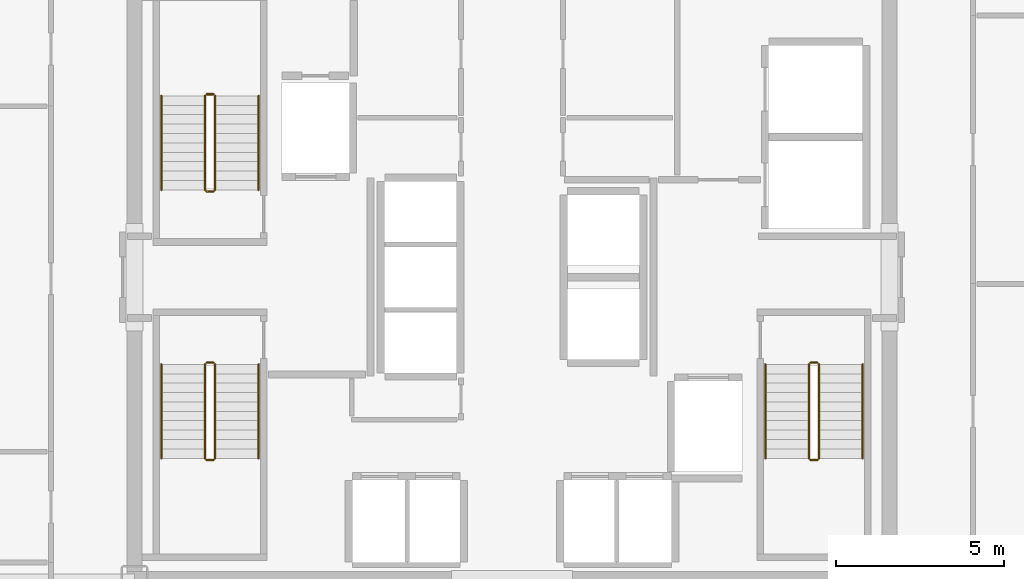
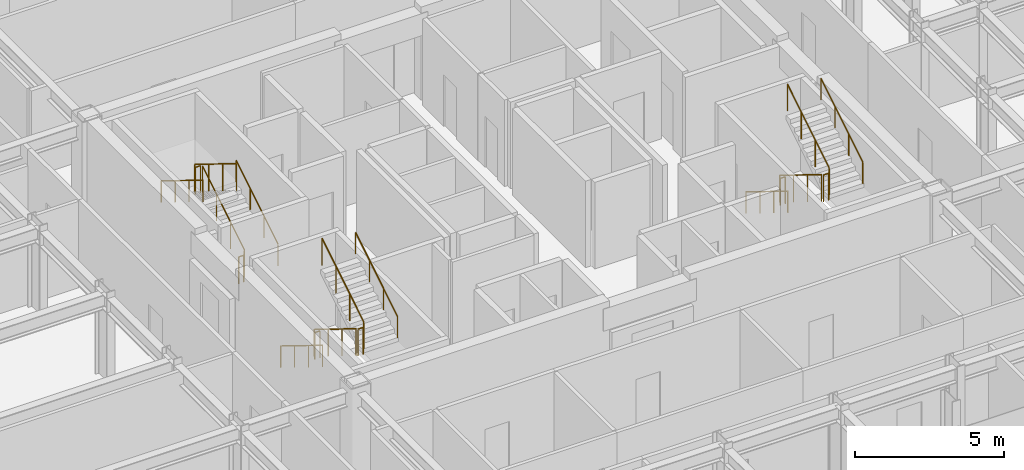
# One storey, part 20 of 20: 18 railings.
"""IFC4 building model written with IfcOpenShell, lengths in metres."""

from ifc_helpers import new_model, si_unit, direction, frame, origin, origin_2d, place, context, subcontext, project, spatial, circle, extrude, material, type_object, element, save


model = new_model("IFC4")

# Units and contexts
model_context = context("Model", 3, precision=1e-05, world=origin(), true_north=direction((0.0, 1.0)))
body_context = subcontext(model_context, "Body", "Model", "MODEL_VIEW")
ifc_project = project(units=[si_unit("LENGTHUNIT", "METRE"), si_unit("AREAUNIT", "SQUARE_METRE"), si_unit("VOLUMEUNIT", "CUBIC_METRE"), si_unit("PLANEANGLEUNIT", "RADIAN"), si_unit("MASSUNIT", "GRAM", prefix="KILO")], contexts=[model_context])

# Site, building, storey
site_placement = place(None, origin())
site = spatial("IfcSite", under=ifc_project, at=site_placement, CompositionType="ELEMENT")
building_placement = place(site_placement, origin())
building = spatial("IfcBuilding", under=site, at=building_placement, Name="Nefas-Gora Pilgrimage Tower", CompositionType="ELEMENT")
storey_placement = place(building_placement, frame((0.0, 0.0, 237.0)))
storey = spatial("IfcBuildingStorey", under=building, at=storey_placement, Name="L59", CompositionType="ELEMENT", Elevation=237.0)

# Railings
ifc_material_1 = material(Name="Painted galvanised steel", Category="steel")
railing_type_1 = type_object("IfcRailingType", Name="RLG-STR-GUARD-1100", PredefinedType="GUARDRAIL", material=ifc_material_1)
railing_1_placement = place(storey_placement, frame((-8.85009765625, 2.60009765625, 0.172607421875)))
element("IfcRailing", 1, at=railing_1_placement, inside=storey, type_object=railing_type_1, Name="L59 ST-01 stair guard 1", PredefinedType="GUARDRAIL", context=body_context, shape_type="SweptSolid", body=[
    extrude(circle(Radius=0.02392578125, at=origin_2d()), frame((0.0, 0.0, 1.09619140625), z_axis=(0.0, 0.851069175582, 0.525053576669), x_axis=(-1.0, 0.0, 0.0)), (0.0, 0.0, 1.0), 3.289794921875),
    extrude(circle(Radius=0.02099609375, at=origin_2d()), origin(), (0.0, 0.0, 1.0), 1.072021484375),
    extrude(circle(Radius=0.02099609375, at=origin_2d()), frame((0.0, 0.933349609375, 0.57568359375)), (0.0, 0.0, 1.0), 1.072021484375),
    extrude(circle(Radius=0.02099609375, at=origin_2d()), frame((0.0, 1.866455078125, 1.151611328125)), (0.0, 0.0, 1.0), 1.072021484375),
    extrude(circle(Radius=0.02099609375, at=origin_2d()), frame((0.0, 2.7998046875, 1.727294921875)), (0.0, 0.0, 1.0), 1.072021484375),
])
railing_2_placement = place(storey_placement, frame((-8.89990234375, 5.449951171875, 1.89990234375)))
element("IfcRailing", 2, at=railing_2_placement, inside=storey, type_object=railing_type_1, Name="L59 ST-01 stair guard 2", PredefinedType="GUARDRAIL", context=body_context, shape_type="SweptSolid", body=[
    extrude(circle(Radius=0.02392578125, at=origin_2d()), frame((0.0, 0.0, 1.09619140625), z_axis=(-1.0, 0.0, 0.0), x_axis=(0.0, -1.0, 0.0)), (0.0, 0.0, 1.0), 0.2001953125),
    extrude(circle(Radius=0.02099609375, at=origin_2d()), origin(), (0.0, 0.0, 1.0), 1.072021484375),
    extrude(circle(Radius=0.02099609375, at=origin_2d()), frame((-0.2001953125, 0.0, 0.0)), (0.0, 0.0, 1.0), 1.072021484375),
])
railing_3_placement = place(storey_placement, frame((-9.14990234375, 5.39990234375, 2.07275390625)))
element("IfcRailing", 3, at=railing_3_placement, inside=storey, type_object=railing_type_1, Name="L59 ST-01 stair guard 3", PredefinedType="GUARDRAIL", context=body_context, shape_type="SweptSolid", body=[
    extrude(circle(Radius=0.02392578125, at=origin_2d()), frame((0.0, 0.0, 1.09619140625), z_axis=(0.0, -0.851069175582, 0.525053576669), x_axis=(1.0, 0.0, 0.0)), (0.0, 0.0, 1.0), 3.289794921875),
    extrude(circle(Radius=0.02099609375, at=origin_2d()), origin(), (0.0, 0.0, 1.0), 1.072021484375),
    extrude(circle(Radius=0.02099609375, at=origin_2d()), frame((0.0, -0.933349609375, 0.57568359375)), (0.0, 0.0, 1.0), 1.072021484375),
    extrude(circle(Radius=0.02099609375, at=origin_2d()), frame((0.0, -1.866455078125, 1.151611328125)), (0.0, 0.0, 1.0), 1.072021484375),
    extrude(circle(Radius=0.02099609375, at=origin_2d()), frame((0.0, -2.7998046875, 1.727294921875)), (0.0, 0.0, 1.0), 1.072021484375),
])
railing_4_placement = place(storey_placement, frame((-8.89990234375, 2.550048828125, 0.0)))
element("IfcRailing", 4, at=railing_4_placement, inside=storey, type_object=railing_type_1, Name="L59 ST-01 stair guard 4", PredefinedType="GUARDRAIL", context=body_context, shape_type="SweptSolid", body=[
    extrude(circle(Radius=0.02392578125, at=origin_2d()), frame((0.0, 0.0, 1.09619140625), z_axis=(-1.0, 0.0, 0.0), x_axis=(0.0, -1.0, 0.0)), (0.0, 0.0, 1.0), 0.2001953125),
    extrude(circle(Radius=0.02099609375, at=origin_2d()), origin(), (0.0, 0.0, 1.0), 1.072021484375),
    extrude(circle(Radius=0.02099609375, at=origin_2d()), frame((-0.2001953125, 0.0, 0.0)), (0.0, 0.0, 1.0), 1.072021484375),
])
railing_5_placement = place(storey_placement, frame((8.85009765625, -2.60009765625, 0.172607421875)))
element("IfcRailing", 5, at=railing_5_placement, inside=storey, type_object=railing_type_1, Name="L59 ST-02 stair guard 1", PredefinedType="GUARDRAIL", context=body_context, shape_type="SweptSolid", body=[
    extrude(circle(Radius=0.02392578125, at=origin_2d()), frame((0.0, 0.0, 1.09619140625), z_axis=(0.0, -0.851069175582, 0.525053576669), x_axis=(1.0, 0.0, 0.0)), (0.0, 0.0, 1.0), 3.289794921875),
    extrude(circle(Radius=0.02099609375, at=origin_2d()), origin(), (0.0, 0.0, 1.0), 1.072021484375),
    extrude(circle(Radius=0.02099609375, at=origin_2d()), frame((0.0, -0.933349609375, 0.57568359375)), (0.0, 0.0, 1.0), 1.072021484375),
    extrude(circle(Radius=0.02099609375, at=origin_2d()), frame((0.0, -1.866455078125, 1.151611328125)), (0.0, 0.0, 1.0), 1.072021484375),
    extrude(circle(Radius=0.02099609375, at=origin_2d()), frame((0.0, -2.7998046875, 1.727294921875)), (0.0, 0.0, 1.0), 1.072021484375),
])
railing_6_placement = place(storey_placement, frame((8.89990234375, -5.449951171875, 1.89990234375)))
element("IfcRailing", 6, at=railing_6_placement, inside=storey, type_object=railing_type_1, Name="L59 ST-02 stair guard 2", PredefinedType="GUARDRAIL", context=body_context, shape_type="SweptSolid", body=[
    extrude(circle(Radius=0.02392578125, at=origin_2d()), frame((0.0, 0.0, 1.09619140625), z_axis=(1.0, 0.0, 0.0), x_axis=(0.0, 1.0, 0.0)), (0.0, 0.0, 1.0), 0.2001953125),
    extrude(circle(Radius=0.02099609375, at=origin_2d()), origin(), (0.0, 0.0, 1.0), 1.072021484375),
    extrude(circle(Radius=0.02099609375, at=origin_2d()), frame((0.2001953125, 0.0, 0.0)), (0.0, 0.0, 1.0), 1.072021484375),
])
railing_7_placement = place(storey_placement, frame((9.14990234375, -5.39990234375, 2.07275390625)))
element("IfcRailing", 7, at=railing_7_placement, inside=storey, type_object=railing_type_1, Name="L59 ST-02 stair guard 3", PredefinedType="GUARDRAIL", context=body_context, shape_type="SweptSolid", body=[
    extrude(circle(Radius=0.02392578125, at=origin_2d()), frame((0.0, 0.0, 1.09619140625), z_axis=(0.0, 0.851069175582, 0.525053576669), x_axis=(-1.0, 0.0, 0.0)), (0.0, 0.0, 1.0), 3.289794921875),
    extrude(circle(Radius=0.02099609375, at=origin_2d()), origin(), (0.0, 0.0, 1.0), 1.072021484375),
    extrude(circle(Radius=0.02099609375, at=origin_2d()), frame((0.0, 0.933349609375, 0.57568359375)), (0.0, 0.0, 1.0), 1.072021484375),
    extrude(circle(Radius=0.02099609375, at=origin_2d()), frame((0.0, 1.866455078125, 1.151611328125)), (0.0, 0.0, 1.0), 1.072021484375),
    extrude(circle(Radius=0.02099609375, at=origin_2d()), frame((0.0, 2.7998046875, 1.727294921875)), (0.0, 0.0, 1.0), 1.072021484375),
])
railing_8_placement = place(storey_placement, frame((8.89990234375, -2.550048828125, 0.0)))
element("IfcRailing", 8, at=railing_8_placement, inside=storey, type_object=railing_type_1, Name="L59 ST-02 stair guard 4", PredefinedType="GUARDRAIL", context=body_context, shape_type="SweptSolid", body=[
    extrude(circle(Radius=0.02392578125, at=origin_2d()), frame((0.0, 0.0, 1.09619140625), z_axis=(1.0, 0.0, 0.0), x_axis=(0.0, 1.0, 0.0)), (0.0, 0.0, 1.0), 0.2001953125),
    extrude(circle(Radius=0.02099609375, at=origin_2d()), origin(), (0.0, 0.0, 1.0), 1.072021484375),
    extrude(circle(Radius=0.02099609375, at=origin_2d()), frame((0.2001953125, 0.0, 0.0)), (0.0, 0.0, 1.0), 1.072021484375),
])
railing_9_placement = place(storey_placement, frame((-9.14990234375, -2.60009765625, 0.172607421875)))
element("IfcRailing", 9, at=railing_9_placement, inside=storey, type_object=railing_type_1, Name="L59 ST-03 stair guard 1", PredefinedType="GUARDRAIL", context=body_context, shape_type="SweptSolid", body=[
    extrude(circle(Radius=0.02392578125, at=origin_2d()), frame((0.0, 0.0, 1.09619140625), z_axis=(0.0, -0.851069175582, 0.525053576669), x_axis=(1.0, 0.0, 0.0)), (0.0, 0.0, 1.0), 3.289794921875),
    extrude(circle(Radius=0.02099609375, at=origin_2d()), origin(), (0.0, 0.0, 1.0), 1.072021484375),
    extrude(circle(Radius=0.02099609375, at=origin_2d()), frame((0.0, -0.933349609375, 0.57568359375)), (0.0, 0.0, 1.0), 1.072021484375),
    extrude(circle(Radius=0.02099609375, at=origin_2d()), frame((0.0, -1.866455078125, 1.151611328125)), (0.0, 0.0, 1.0), 1.072021484375),
    extrude(circle(Radius=0.02099609375, at=origin_2d()), frame((0.0, -2.7998046875, 1.727294921875)), (0.0, 0.0, 1.0), 1.072021484375),
])
railing_10_placement = place(storey_placement, frame((-9.10009765625, -5.449951171875, 1.89990234375)))
element("IfcRailing", 10, at=railing_10_placement, inside=storey, type_object=railing_type_1, Name="L59 ST-03 stair guard 2", PredefinedType="GUARDRAIL", context=body_context, shape_type="SweptSolid", body=[
    extrude(circle(Radius=0.02392578125, at=origin_2d()), frame((0.0, 0.0, 1.09619140625), z_axis=(1.0, 0.0, 0.0), x_axis=(0.0, 1.0, 0.0)), (0.0, 0.0, 1.0), 0.2001953125),
    extrude(circle(Radius=0.02099609375, at=origin_2d()), origin(), (0.0, 0.0, 1.0), 1.072021484375),
    extrude(circle(Radius=0.02099609375, at=origin_2d()), frame((0.2001953125, 0.0, 0.0)), (0.0, 0.0, 1.0), 1.072021484375),
])
railing_11_placement = place(storey_placement, frame((-8.85009765625, -5.39990234375, 2.07275390625)))
element("IfcRailing", 11, at=railing_11_placement, inside=storey, type_object=railing_type_1, Name="L59 ST-03 stair guard 3", PredefinedType="GUARDRAIL", context=body_context, shape_type="SweptSolid", body=[
    extrude(circle(Radius=0.02392578125, at=origin_2d()), frame((0.0, 0.0, 1.09619140625), z_axis=(0.0, 0.851069175582, 0.525053576669), x_axis=(-1.0, 0.0, 0.0)), (0.0, 0.0, 1.0), 3.289794921875),
    extrude(circle(Radius=0.02099609375, at=origin_2d()), origin(), (0.0, 0.0, 1.0), 1.072021484375),
    extrude(circle(Radius=0.02099609375, at=origin_2d()), frame((0.0, 0.933349609375, 0.57568359375)), (0.0, 0.0, 1.0), 1.072021484375),
    extrude(circle(Radius=0.02099609375, at=origin_2d()), frame((0.0, 1.866455078125, 1.151611328125)), (0.0, 0.0, 1.0), 1.072021484375),
    extrude(circle(Radius=0.02099609375, at=origin_2d()), frame((0.0, 2.7998046875, 1.727294921875)), (0.0, 0.0, 1.0), 1.072021484375),
])
railing_12_placement = place(storey_placement, frame((-9.10009765625, -2.550048828125, 0.0)))
element("IfcRailing", 12, at=railing_12_placement, inside=storey, type_object=railing_type_1, Name="L59 ST-03 stair guard 4", PredefinedType="GUARDRAIL", context=body_context, shape_type="SweptSolid", body=[
    extrude(circle(Radius=0.02392578125, at=origin_2d()), frame((0.0, 0.0, 1.09619140625), z_axis=(1.0, 0.0, 0.0), x_axis=(0.0, 1.0, 0.0)), (0.0, 0.0, 1.0), 0.2001953125),
    extrude(circle(Radius=0.02099609375, at=origin_2d()), origin(), (0.0, 0.0, 1.0), 1.072021484375),
    extrude(circle(Radius=0.02099609375, at=origin_2d()), frame((0.2001953125, 0.0, 0.0)), (0.0, 0.0, 1.0), 1.072021484375),
])
ifc_material_2 = material(Name="Brushed stainless steel", Category="steel")
railing_type_2 = type_object("IfcRailingType", Name="RLG-STR-HAND-900", PredefinedType="HANDRAIL", material=ifc_material_2)
railing_13_placement = place(storey_placement, frame((-7.550048828125, 2.60009765625, 0.172607421875)))
element("IfcRailing", 13, at=railing_13_placement, inside=storey, type_object=railing_type_2, Name="L59 ST-01 stair handrail 1", PredefinedType="HANDRAIL", context=body_context, shape_type="SweptSolid", body=[
    extrude(circle(Radius=0.02392578125, at=origin_2d()), frame((0.0, 0.0, 0.8759765625), z_axis=(0.0, 0.851069175582, 0.525053576669), x_axis=(-1.0, 0.0, 0.0)), (0.0, 0.0, 1.0), 3.289794921875),
    extrude(circle(Radius=0.02099609375, at=origin_2d()), origin(), (0.0, 0.0, 1.0), 0.851806640625),
    extrude(circle(Radius=0.02099609375, at=origin_2d()), frame((0.0, 0.933349609375, 0.57568359375)), (0.0, 0.0, 1.0), 0.851806640625),
    extrude(circle(Radius=0.02099609375, at=origin_2d()), frame((0.0, 1.866455078125, 1.151611328125)), (0.0, 0.0, 1.0), 0.851806640625),
    extrude(circle(Radius=0.02099609375, at=origin_2d()), frame((0.0, 2.7998046875, 1.727294921875)), (0.0, 0.0, 1.0), 0.851806640625),
])
for number, where, name in (
    (14, (-10.449951171875, 5.39990234375, 2.07275390625), "L59 ST-01 stair handrail 2"),
    (15, (7.550048828125, -2.60009765625, 0.172607421875), "L59 ST-02 stair handrail 1"),
):
    element("IfcRailing", number, at=place(storey_placement, frame(where)), inside=storey, type_object=railing_type_2, Name=name, PredefinedType="HANDRAIL", context=body_context, shape_type="SweptSolid", body=[
        extrude(circle(Radius=0.02392578125, at=origin_2d()), frame((0.0, 0.0, 0.8759765625), z_axis=(0.0, -0.851069175582, 0.525053576669), x_axis=(1.0, 0.0, 0.0)), (0.0, 0.0, 1.0), 3.289794921875),
        extrude(circle(Radius=0.02099609375, at=origin_2d()), origin(), (0.0, 0.0, 1.0), 0.851806640625),
        extrude(circle(Radius=0.02099609375, at=origin_2d()), frame((0.0, -0.933349609375, 0.57568359375)), (0.0, 0.0, 1.0), 0.851806640625),
        extrude(circle(Radius=0.02099609375, at=origin_2d()), frame((0.0, -1.866455078125, 1.151611328125)), (0.0, 0.0, 1.0), 0.851806640625),
        extrude(circle(Radius=0.02099609375, at=origin_2d()), frame((0.0, -2.7998046875, 1.727294921875)), (0.0, 0.0, 1.0), 0.851806640625),
    ])
railing_14_placement = place(storey_placement, frame((10.449951171875, -5.39990234375, 2.07275390625)))
element("IfcRailing", 16, at=railing_14_placement, inside=storey, type_object=railing_type_2, Name="L59 ST-02 stair handrail 2", PredefinedType="HANDRAIL", context=body_context, shape_type="SweptSolid", body=[
    extrude(circle(Radius=0.02392578125, at=origin_2d()), frame((0.0, 0.0, 0.8759765625), z_axis=(0.0, 0.851069175582, 0.525053576669), x_axis=(-1.0, 0.0, 0.0)), (0.0, 0.0, 1.0), 3.289794921875),
    extrude(circle(Radius=0.02099609375, at=origin_2d()), origin(), (0.0, 0.0, 1.0), 0.851806640625),
    extrude(circle(Radius=0.02099609375, at=origin_2d()), frame((0.0, 0.933349609375, 0.57568359375)), (0.0, 0.0, 1.0), 0.851806640625),
    extrude(circle(Radius=0.02099609375, at=origin_2d()), frame((0.0, 1.866455078125, 1.151611328125)), (0.0, 0.0, 1.0), 0.851806640625),
    extrude(circle(Radius=0.02099609375, at=origin_2d()), frame((0.0, 2.7998046875, 1.727294921875)), (0.0, 0.0, 1.0), 0.851806640625),
])
railing_15_placement = place(storey_placement, frame((-10.449951171875, -2.60009765625, 0.172607421875)))
element("IfcRailing", 17, at=railing_15_placement, inside=storey, type_object=railing_type_2, Name="L59 ST-03 stair handrail 1", PredefinedType="HANDRAIL", context=body_context, shape_type="SweptSolid", body=[
    extrude(circle(Radius=0.02392578125, at=origin_2d()), frame((0.0, 0.0, 0.8759765625), z_axis=(0.0, -0.851069175582, 0.525053576669), x_axis=(1.0, 0.0, 0.0)), (0.0, 0.0, 1.0), 3.289794921875),
    extrude(circle(Radius=0.02099609375, at=origin_2d()), origin(), (0.0, 0.0, 1.0), 0.851806640625),
    extrude(circle(Radius=0.02099609375, at=origin_2d()), frame((0.0, -0.933349609375, 0.57568359375)), (0.0, 0.0, 1.0), 0.851806640625),
    extrude(circle(Radius=0.02099609375, at=origin_2d()), frame((0.0, -1.866455078125, 1.151611328125)), (0.0, 0.0, 1.0), 0.851806640625),
    extrude(circle(Radius=0.02099609375, at=origin_2d()), frame((0.0, -2.7998046875, 1.727294921875)), (0.0, 0.0, 1.0), 0.851806640625),
])
railing_16_placement = place(storey_placement, frame((-7.550048828125, -5.39990234375, 2.07275390625)))
element("IfcRailing", 18, at=railing_16_placement, inside=storey, type_object=railing_type_2, Name="L59 ST-03 stair handrail 2", PredefinedType="HANDRAIL", context=body_context, shape_type="SweptSolid", body=[
    extrude(circle(Radius=0.02392578125, at=origin_2d()), frame((0.0, 0.0, 0.8759765625), z_axis=(0.0, 0.851069175582, 0.525053576669), x_axis=(-1.0, 0.0, 0.0)), (0.0, 0.0, 1.0), 3.289794921875),
    extrude(circle(Radius=0.02099609375, at=origin_2d()), origin(), (0.0, 0.0, 1.0), 0.851806640625),
    extrude(circle(Radius=0.02099609375, at=origin_2d()), frame((0.0, 0.933349609375, 0.57568359375)), (0.0, 0.0, 1.0), 0.851806640625),
    extrude(circle(Radius=0.02099609375, at=origin_2d()), frame((0.0, 1.866455078125, 1.151611328125)), (0.0, 0.0, 1.0), 0.851806640625),
    extrude(circle(Radius=0.02099609375, at=origin_2d()), frame((0.0, 2.7998046875, 1.727294921875)), (0.0, 0.0, 1.0), 0.851806640625),
])

save(model, "model.ifc")
